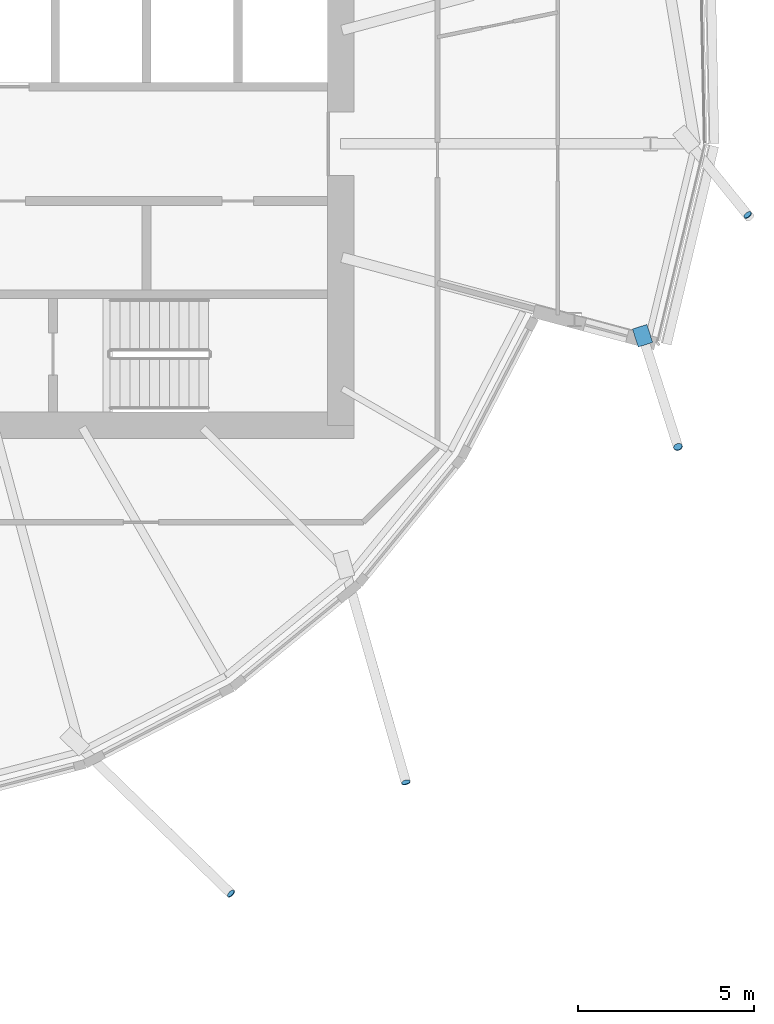
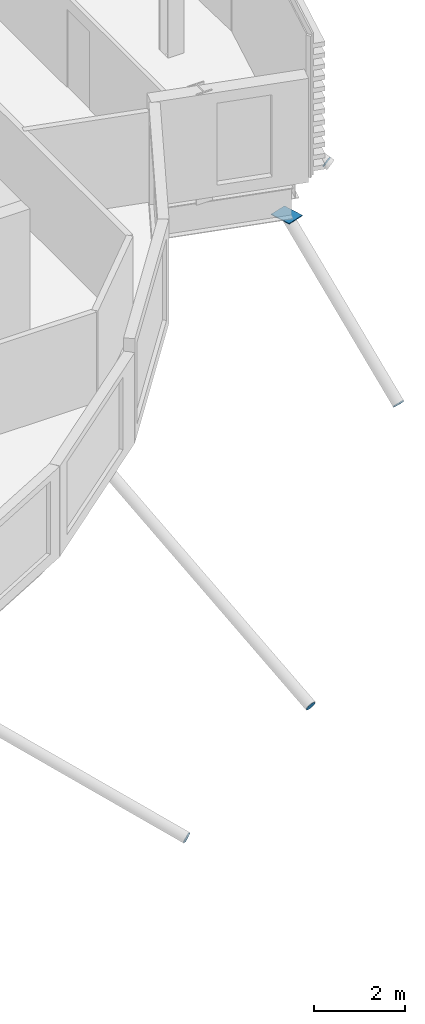
# One storey, part 32 of 40: 5 discrete accessories.
"""IFC4 building model written with IfcOpenShell, lengths in metres."""

import ifcopenshell
import ifcopenshell.guid

model = None  # the IFC model being written
_history = None  # IfcOwnerHistory: only IFC2X3 demands one
_inside = {}  # id of a spatial element -> (the spatial element, [elements in it])
_under = {}  # id of a project, library or spatial element -> (it, [spatial elements below it])
_declared = {}  # id of a project -> (the project, [libraries it declares])
_typed = {}  # id of a type object -> (the type object, [elements of that type])
_made_of = {}  # id of a material, layer set ... -> (it, [elements and type objects made of it])


def new_model(schema):
    """Start an empty IFC model of exactly this schema.

    Asked for "IFC4X3", IfcOpenShell would pick the latest addendum, in which some entities
    have other attributes; the version numbers below select the first issue.
    IFC2X3 requires an IfcOwnerHistory on every rooted entity: one is made here for all.
    """
    global model, _history
    if schema == "IFC4X3":
        model = ifcopenshell.file(schema_version=(4, 3, 0, 0))
    else:
        model = ifcopenshell.file(schema=schema)
    _inside.clear()
    _under.clear()
    _declared.clear()
    _typed.clear()
    _made_of.clear()
    _history = None
    if model.schema == "IFC2X3":
        org = make("IfcOrganization", Name="unknown")
        user = make(
            "IfcPersonAndOrganization",
            ThePerson=make("IfcPerson", FamilyName="unknown"),
            TheOrganization=org,
        )
        app = make(
            "IfcApplication",
            ApplicationDeveloper=org,
            Version="unknown",
            ApplicationFullName="unknown",
            ApplicationIdentifier="unknown",
        )
        _history = make(
            "IfcOwnerHistory",
            OwningUser=user,
            OwningApplication=app,
            ChangeAction="ADDED",
            CreationDate=0,
        )
    return model


def make(cls, **values):
    """One entity of the class cls with the attributes given. An attribute that is None is left unset."""
    return model.create_entity(
        cls, **{name: value for name, value in values.items() if value is not None}
    )


def rooted(cls, **values):
    """An entity with a GlobalId (a new one), such as an element, a storey or a relation."""
    return make(cls, GlobalId=ifcopenshell.guid.new(), OwnerHistory=_history, **values)


def si_unit(unit_type, name, prefix=None):
    """IfcSIUnit, for example si_unit("LENGTHUNIT", "METRE", prefix="MILLI")."""
    return make("IfcSIUnit", UnitType=unit_type, Prefix=prefix, Name=name)


def assignment(units):
    """IfcUnitAssignment: the units of a project."""
    return None if units is None else make("IfcUnitAssignment", Units=units)


def point(xyz):
    """IfcCartesianPoint."""
    return None if xyz is None else make("IfcCartesianPoint", Coordinates=xyz)


def direction(xyz):
    """IfcDirection."""
    return None if xyz is None else make("IfcDirection", DirectionRatios=xyz)


def frame(location, z_axis=None, x_axis=None):
    """IfcAxis2Placement3D, a coordinate frame: its origin and axes. An axis left out is left unset."""
    return make(
        "IfcAxis2Placement3D",
        Location=point(location),
        Axis=direction(z_axis),
        RefDirection=direction(x_axis),
    )


def frame_2d(location, x_axis=None):
    """IfcAxis2Placement2D, a coordinate frame in the plane: its origin and x axis."""
    return make(
        "IfcAxis2Placement2D", Location=point(location), RefDirection=direction(x_axis)
    )


def origin():
    """The frame at (0, 0, 0) with its axes left unset."""
    return frame((0.0, 0.0, 0.0))


def origin_2d():
    """The frame at (0, 0) in the plane with its x axis left unset."""
    return frame_2d((0.0, 0.0))


def place(relative_to, where):
    """IfcLocalPlacement: puts the frame where relative to a parent placement (None: the world)."""
    return make(
        "IfcLocalPlacement", PlacementRelTo=relative_to, RelativePlacement=where
    )


def context(
    kind, dimensions, precision=None, world=None, true_north=None, identifier=None
):
    """IfcGeometricRepresentationContext, for example the 3D "Model" context."""
    return make(
        "IfcGeometricRepresentationContext",
        ContextIdentifier=identifier,
        ContextType=kind,
        CoordinateSpaceDimension=dimensions,
        Precision=precision,
        WorldCoordinateSystem=world,
        TrueNorth=true_north,
    )


def subcontext(parent, identifier, kind, view, scale=None):
    """IfcGeometricRepresentationSubContext, for example "Body" below "Model"."""
    return make(
        "IfcGeometricRepresentationSubContext",
        ContextIdentifier=identifier,
        ContextType=kind,
        ParentContext=parent,
        TargetScale=scale,
        TargetView=view,
    )


def project(units=None, contexts=None):
    """IfcProject with its units and contexts."""
    return rooted(
        "IfcProject",
        Name="project",
        RepresentationContexts=contexts,
        UnitsInContext=assignment(units),
    )


def spatial(cls, under=None, at=None, **own):
    """A site, building, storey or space (cls), placed at a placement, below another one or the project."""
    s = rooted(cls, ObjectPlacement=at, **own)
    if under is not None:
        _under.setdefault(under.id(), (under, []))[1].append(s)
    return s


def polyline(points):
    """IfcPolyline through the points."""
    return make("IfcPolyline", Points=[point(p) for p in points])


def profile(cls, at=None, kind="AREA", **sizes):
    """A parametric profile (cls). Its sizes go by their IFC names, for example OverallWidth=200.0."""
    return make(cls, ProfileType=kind, Position=at, **sizes)


def rectangle(**sizes):
    """IfcRectangleProfileDef."""
    return profile("IfcRectangleProfileDef", **sizes)


def circle(**sizes):
    """IfcCircleProfileDef."""
    return profile("IfcCircleProfileDef", **sizes)


def outline(outer, holes=None, kind="AREA"):
    """IfcArbitraryClosedProfileDef: a profile drawn as a closed curve; with holes, ...WithVoids."""
    if holes is None:
        return make("IfcArbitraryClosedProfileDef", ProfileType=kind, OuterCurve=outer)
    return make(
        "IfcArbitraryProfileDefWithVoids",
        ProfileType=kind,
        OuterCurve=outer,
        InnerCurves=holes,
    )


def extrude(swept, where, along, depth):
    """IfcExtrudedAreaSolid: the profile swept, set in the frame where, extruded along a direction by depth."""
    return make(
        "IfcExtrudedAreaSolid",
        SweptArea=swept,
        Position=where,
        ExtrudedDirection=direction(along),
        Depth=depth,
    )


def shape(context_of_items, identifier, shape_type, items):
    """IfcShapeRepresentation: the items that make up one representation, for example the "Body"."""
    return make(
        "IfcShapeRepresentation",
        ContextOfItems=context_of_items,
        RepresentationIdentifier=identifier,
        RepresentationType=shape_type,
        Items=items,
    )


def material(Name=None, Category=None):
    """IfcMaterial."""
    return make("IfcMaterial", Name=Name, Category=Category)


def material_profile(
    of_material, cross_section, Name=None, Category=None, Priority=None
):
    """IfcMaterialProfile: a cross section and its material."""
    return make(
        "IfcMaterialProfile",
        Name=Name,
        Material=of_material,
        Profile=cross_section,
        Priority=Priority,
        Category=Category,
    )


def profile_set(profiles, Name=None, composite=None):
    """IfcMaterialProfileSet."""
    return make(
        "IfcMaterialProfileSet",
        Name=Name,
        MaterialProfiles=profiles,
        CompositeProfile=composite,
    )


def made_of(thing, what):
    """Note that an element or type object is made of a material, layer set ...; save() writes the relation."""
    if what is not None:
        _made_of.setdefault(what.id(), (what, []))[1].append(thing)
    return thing


def type_object(cls, material=None, **own):
    """A type object (cls), such as IfcWallType, which elements share."""
    return made_of(rooted(cls, **own), material)


def element(
    cls,
    number,
    at=None,
    inside=None,
    cuts=None,
    type_object=None,
    material=None,
    context=None,
    identifier="Body",
    shape_type=None,
    held_by="IfcProductDefinitionShape",
    body=None,
    shapes=None,
    **own,
):
    """One element of the class cls, such as IfcWall. Its Tag is "e" and its number.

    at: its placement. inside: the storey or other place that contains it. cuts: it is an
    opening in that element (IfcRelVoidsElement). A single representation is given by context,
    identifier, shape_type and body (its items); several are given by shapes. held_by: the class
    of the entity that holds the representations. save() writes the other relations.
    """
    e = rooted(cls, Tag="e%d" % number, ObjectPlacement=at, **own)
    if body is not None:
        shapes = [shape(context, identifier, shape_type, body)]
    if shapes is not None:
        e.Representation = make(held_by, Representations=shapes)
    if inside is not None:
        _inside.setdefault(inside.id(), (inside, []))[1].append(e)
    if cuts is not None:
        rooted(
            "IfcRelVoidsElement", RelatingBuildingElement=cuts, RelatedOpeningElement=e
        )
    if type_object is not None:
        _typed.setdefault(type_object.id(), (type_object, []))[1].append(e)
    return made_of(e, material)


def aggregate(whole, parts):
    """IfcRelAggregates: a whole, such as a stair, and the parts it consists of."""
    return rooted("IfcRelAggregates", RelatingObject=whole, RelatedObjects=parts)


def save(model, path):
    """Write the relations noted so far, then the file.

    IfcRelAggregates (storeys below a building ...), IfcRelContainedInSpatialStructure (elements
    in a storey), IfcRelDefinesByType, IfcRelAssociatesMaterial and IfcRelDeclares: one each for
    every whole, place, type object, material and project.
    """
    for whole, parts in _under.values():
        aggregate(whole, parts)
    for where, things in _inside.values():
        rooted(
            "IfcRelContainedInSpatialStructure",
            RelatedElements=things,
            RelatingStructure=where,
        )
    for kind, things in _typed.values():
        rooted("IfcRelDefinesByType", RelatedObjects=things, RelatingType=kind)
    for what, things in _made_of.values():
        rooted("IfcRelAssociatesMaterial", RelatedObjects=things, RelatingMaterial=what)
    for by, libraries in _declared.values():
        rooted("IfcRelDeclares", RelatingContext=by, RelatedDefinitions=libraries)
    model.write(path)


model = new_model("IFC4")

# Units and contexts
model_context = context("Model", 3, precision=1e-05, world=origin(), true_north=direction((0.0, 1.0)))
body_context = subcontext(model_context, "Body", "Model", "MODEL_VIEW")
ifc_project = project(units=[si_unit("LENGTHUNIT", "METRE"), si_unit("AREAUNIT", "SQUARE_METRE"), si_unit("VOLUMEUNIT", "CUBIC_METRE"), si_unit("PLANEANGLEUNIT", "RADIAN"), si_unit("MASSUNIT", "GRAM", prefix="KILO")], contexts=[model_context])

# Site, building, storey
site_placement = place(None, origin())
site = spatial("IfcSite", under=ifc_project, at=site_placement, CompositionType="ELEMENT")
building_placement = place(site_placement, origin())
building = spatial("IfcBuilding", under=site, at=building_placement, Name="Rimbun Link Towers", CompositionType="ELEMENT")
storey_placement = place(building_placement, frame((0.0, 0.0, 89.199951171875)))
storey = spatial("IfcBuildingStorey", under=building, at=storey_placement, Name="L21", CompositionType="ELEMENT", Elevation=89.199951171875)

# Discrete accessories
ifc_material_1 = material(Name="Steel S355J2H", Category="steel")
ifc_material_profile_1 = material_profile(ifc_material_1, circle(Radius=0.1240234375, at=origin_2d()), Name="PL D248")
ifc_profile_set_1 = profile_set([ifc_material_profile_1], Name="Steel S355J2H")
discrete_accessory_type_1 = type_object("IfcDiscreteAccessoryType", Name="Link foot sealing plate D248X20", PredefinedType="BRACKET", material=ifc_profile_set_1)
for number, where, z_axis, x_axis, name in (
    (1, (40.62744140625, -21.30126953125, -3.99853515625), (0.643714145309, -0.619423045486, -0.449385346725), (0.693380371882, 0.720571759014, 0.0), "Link foot sealing plate T2 L21 16"),
    (2, (45.60205078125, -18.1376953125, -4.115966796875), (0.243540512072, -0.852391792251, -0.462726972936), (0.961523947641, 0.274721127897, 0.0), "Link foot sealing plate T2 L21 18"),
):
    element("IfcDiscreteAccessory", number, at=place(storey_placement, frame(where, z_axis=z_axis, x_axis=x_axis)), inside=storey, type_object=discrete_accessory_type_1, Name=name, PredefinedType="BRACKET", context=body_context, shape_type="SweptSolid", body=[
        extrude(circle(Radius=0.1240234375, at=origin_2d()), origin(), (0.0, 0.0, 1.0), 0.02001953125),
    ])
discrete_accessory_1_placement = place(storey_placement, frame((53.335205078125, -8.606689453125, -4.5), z_axis=(0.221330064109, -0.651694077654, -0.725470765691), x_axis=(0.94688158872, 0.321582426358, 0.0)))
element("IfcDiscreteAccessory", 3, at=discrete_accessory_1_placement, inside=storey, type_object=discrete_accessory_type_1, Name="Link foot sealing plate T2 L21 20", PredefinedType="BRACKET", context=body_context, shape_type="SweptSolid", body=[
    extrude(circle(Radius=0.1240234375, at=origin_2d()), origin(), (0.0, 0.0, 1.0), 0.019775390625),
])
discrete_accessory_2_placement = place(storey_placement, frame((55.312744140625, -2.015380859375, -2.70703125), z_axis=(0.532171545218, -0.677309239369, -0.507981929527), x_axis=(0.786318338822, 0.617821551932, 0.0)))
element("IfcDiscreteAccessory", 4, at=discrete_accessory_2_placement, inside=storey, type_object=discrete_accessory_type_1, Name="Link foot sealing plate T2 L21 21", PredefinedType="BRACKET", context=body_context, shape_type="SweptSolid", body=[
    extrude(circle(Radius=0.1240234375, at=origin_2d()), origin(), (0.0, 0.0, 1.0), 0.020263671875),
])
ifc_material_2 = material(Name="Steel S355J2H", Category="steel")
ifc_material_profile_2 = material_profile(ifc_material_2, rectangle(XDim=0.43310546875, YDim=0.43310546875, at=origin_2d()), Name="PL 433x433")
ifc_profile_set_2 = profile_set([ifc_material_profile_2], Name="Steel S355J2H")
discrete_accessory_type_2 = type_object("IfcDiscreteAccessoryType", Name="Link head end plate 433X20", PredefinedType="BRACKET", material=ifc_profile_set_2)
discrete_accessory_3_placement = place(storey_placement, frame((0.0, 0.0, -1.020751953125)))
element("IfcDiscreteAccessory", 5, at=discrete_accessory_3_placement, inside=storey, type_object=discrete_accessory_type_2, Name="Link head end plate T2 L21 20", PredefinedType="BRACKET", context=body_context, shape_type="SweptSolid", body=[
    extrude(outline(polyline([(52.04248046875, -5.262451171875), (52.20556640625, -5.77392578125), (52.6181640625, -5.642333984375), (52.455078125, -5.130859375), (52.04248046875, -5.262451171875)])), origin(), (0.0, 0.0, 1.0), 0.02001953125),
])

save(model, "model.ifc")
